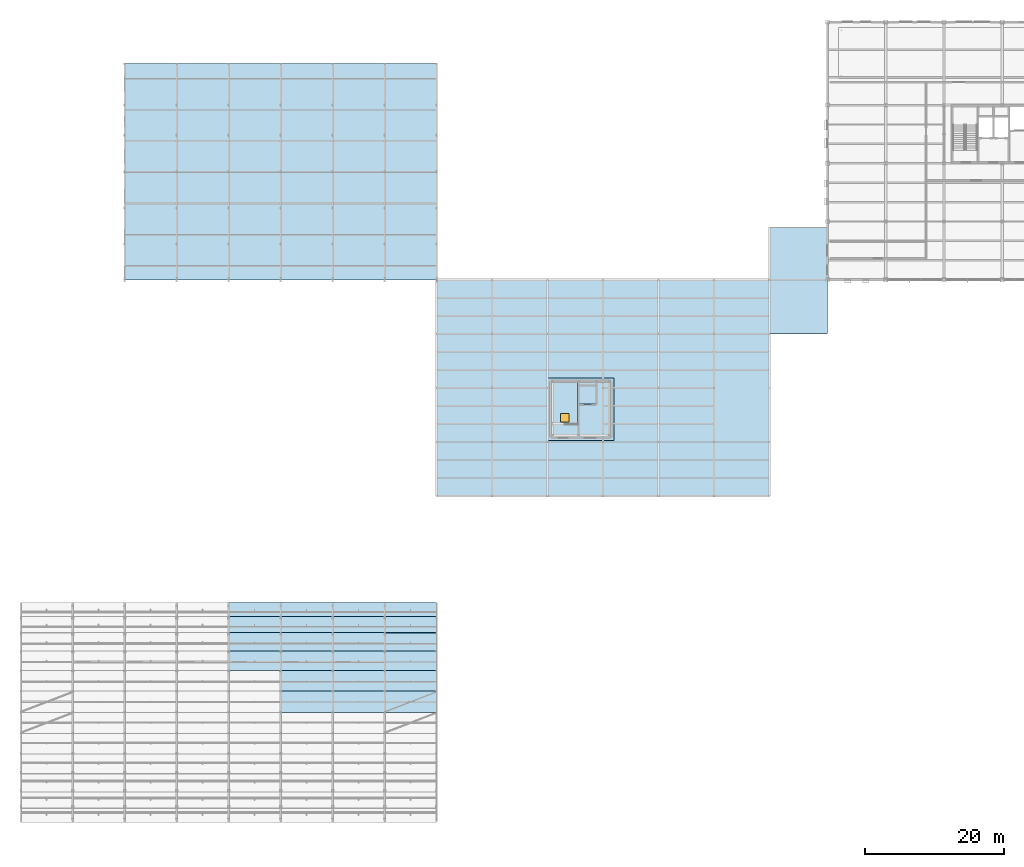
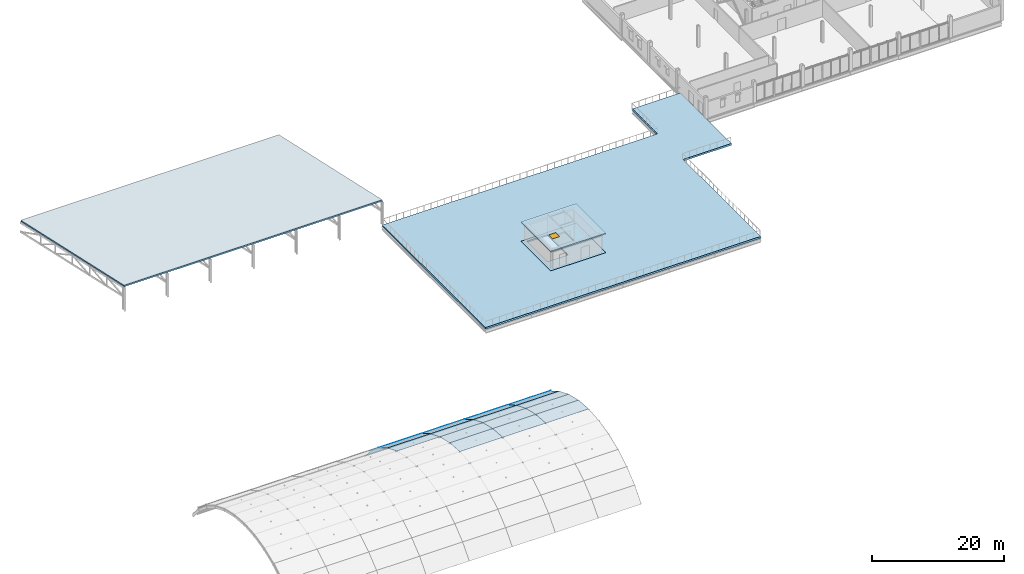
# One storey, part 43 of 77: 22 plates, 4 slabs, 1 window, 1 opening.
"""IFC4 building model written with IfcOpenShell, lengths in metres."""

from ifc_helpers import new_model, si_unit, direction, frame, origin, origin_2d, place, context, subcontext, project, spatial, polyline, rectangle, outline, extrude, material, layer, layer_set, type_object, element, fill, save


model = new_model("IFC4")

# Units and contexts
model_context = context("Model", 3, precision=1e-05, world=origin(), true_north=direction((0.0, 1.0)))
body_context = subcontext(model_context, "Body", "Model", "MODEL_VIEW")
ifc_project = project(units=[si_unit("LENGTHUNIT", "METRE"), si_unit("AREAUNIT", "SQUARE_METRE"), si_unit("VOLUMEUNIT", "CUBIC_METRE"), si_unit("PLANEANGLEUNIT", "RADIAN"), si_unit("MASSUNIT", "GRAM", prefix="KILO")], contexts=[model_context])

# Site, building, storey
site_placement = place(None, origin())
site = spatial("IfcSite", under=ifc_project, at=site_placement, CompositionType="ELEMENT")
building_placement = place(site_placement, origin())
building = spatial("IfcBuilding", under=site, at=building_placement, Name="Yukiwa Park Conservatory and Herbarium", CompositionType="ELEMENT")
storey_placement = place(building_placement, frame((0.0, 0.0, 13.199951171875)))
storey = spatial("IfcBuildingStorey", under=building, at=storey_placement, Name="L03", CompositionType="ELEMENT", Elevation=13.199951171875)

# Plates
ifc_material_1 = material(Name="Laminated Tempered Safety Glass", Category="glass")
ifc_layer_1 = layer(ifc_material_1, 0.031982421875)
ifc_layer_set_1 = layer_set([ifc_layer_1], Name="Laminated Tempered Safety Glass")
plate_type_1 = type_object("IfcPlateType", Name="PL-VAULT-GLASS-32", PredefinedType="SHEET", material=ifc_layer_set_1)
plate_1_placement = place(storey_placement, frame((30.0, 21.63525390625, 2.999755859375), z_axis=(0.0, 0.376825946755, 0.926284084853), x_axis=(1.0, 0.0, 0.0)))
element("IfcPlate", 1, at=plate_1_placement, inside=storey, type_object=plate_type_1, Name="Conservatory Barrel Vault Glazed Roof Panel 5.9", PredefinedType="SHEET", context=body_context, shape_type="SweptSolid", body=[
    extrude(outline(polyline([(0.0, 0.0), (7.5, 0.0), (7.5, 3.063209646098804), (0.0, 3.063209646098804), (0.0, 0.0)])), origin(), (0.0, 0.0, -1.0), 0.031982421875),
])
plate_2_placement = place(storey_placement, frame((30.0, 24.47265625, 1.845458984375), z_axis=(0.0, 0.514929340992, 0.857232625246), x_axis=(1.0, 0.0, 0.0)))
element("IfcPlate", 2, at=plate_2_placement, inside=storey, type_object=plate_type_1, Name="Conservatory Barrel Vault Glazed Roof Panel 5.10", PredefinedType="SHEET", context=body_context, shape_type="SweptSolid", body=[
    extrude(outline(polyline([(0.0, 0.0), (7.5, 0.0), (7.5, 3.063318503244994), (0.0, 3.063318503244994), (0.0, 0.0)])), origin(), (0.0, 0.0, -1.0), 0.031982421875),
])
plate_3_placement = place(storey_placement, frame((30.0, 27.0986328125, 0.26806640625), z_axis=(0.0, 0.640725169959, 0.767770314991), x_axis=(1.0, 0.0, 0.0)))
element("IfcPlate", 3, at=plate_3_placement, inside=storey, type_object=plate_type_1, Name="Conservatory Barrel Vault Glazed Roof Panel 5.11", PredefinedType="SHEET", context=body_context, shape_type="SweptSolid", body=[
    extrude(outline(polyline([(0.0, 0.0), (7.5, 0.0), (7.5, 3.0631643275406226), (0.0, 3.0631643275406226), (0.0, 0.0)])), origin(), (0.0, 0.0, -1.0), 0.031982421875),
])
plate_4_placement = place(storey_placement, frame((30.0, 29.450439453125, -1.694580078125), z_axis=(0.0, 0.75130141371, 0.659959230375), x_axis=(1.0, 0.0, 0.0)))
element("IfcPlate", 4, at=plate_4_placement, inside=storey, type_object=plate_type_1, Name="Conservatory Barrel Vault Glazed Roof Panel 5.12", PredefinedType="SHEET", context=body_context, shape_type="SweptSolid", body=[
    extrude(outline(polyline([(0.0, 0.0), (7.5, 0.0), (7.5, 3.0630443244962575), (0.0, 3.0630443244962575), (0.0, 0.0)])), origin(), (0.0, 0.0, -1.0), 0.031982421875),
])
plate_5_placement = place(storey_placement, frame((37.5, 15.60009765625, 3.93994140625), z_axis=(0.0, 0.077153617569, 0.997019217115), x_axis=(1.0, 0.0, 0.0)))
element("IfcPlate", 5, at=plate_5_placement, inside=storey, type_object=plate_type_1, Name="Conservatory Barrel Vault Glazed Roof Panel 6.7", PredefinedType="SHEET", context=body_context, shape_type="SweptSolid", body=[
    extrude(outline(polyline([(0.0, 0.0), (7.5, 0.0), (7.5, 3.0630854708727098), (0.0, 3.0630854708727098), (0.0, 0.0)])), origin(), (0.0, 0.0, -1.0), 0.031982421875),
])
plate_6_placement = place(storey_placement, frame((37.5, 18.654052734375, 3.70361328125), z_axis=(0.0, 0.229781150018, 0.973242324962), x_axis=(1.0, 0.0, 0.0)))
element("IfcPlate", 6, at=plate_6_placement, inside=storey, type_object=plate_type_1, Name="Conservatory Barrel Vault Glazed Roof Panel 6.8", PredefinedType="SHEET", context=body_context, shape_type="SweptSolid", body=[
    extrude(outline(polyline([(0.0, 0.0), (7.5, 0.0), (7.5, 3.0631643275406226), (0.0, 3.0631643275406226), (0.0, 0.0)])), origin(), (0.0, 0.0, -1.0), 0.031982421875),
])
plate_7_placement = place(storey_placement, frame((37.5, 21.63525390625, 2.999755859375), z_axis=(0.0, 0.376825946755, 0.926284084853), x_axis=(1.0, 0.0, 0.0)))
element("IfcPlate", 7, at=plate_7_placement, inside=storey, type_object=plate_type_1, Name="Conservatory Barrel Vault Glazed Roof Panel 6.9", PredefinedType="SHEET", context=body_context, shape_type="SweptSolid", body=[
    extrude(outline(polyline([(0.0, 0.0), (7.5, 0.0), (7.5, 3.063209646098804), (0.0, 3.063209646098804), (0.0, 0.0)])), origin(), (0.0, 0.0, -1.0), 0.031982421875),
])
plate_8_placement = place(storey_placement, frame((37.5, 24.47265625, 1.845458984375), z_axis=(0.0, 0.514929340992, 0.857232625246), x_axis=(1.0, 0.0, 0.0)))
element("IfcPlate", 8, at=plate_8_placement, inside=storey, type_object=plate_type_1, Name="Conservatory Barrel Vault Glazed Roof Panel 6.10", PredefinedType="SHEET", context=body_context, shape_type="SweptSolid", body=[
    extrude(outline(polyline([(0.0, 0.0), (7.5, 0.0), (7.5, 3.063318503244994), (0.0, 3.063318503244994), (0.0, 0.0)])), origin(), (0.0, 0.0, -1.0), 0.031982421875),
])
plate_9_placement = place(storey_placement, frame((37.5, 27.0986328125, 0.26806640625), z_axis=(0.0, 0.640725169959, 0.767770314991), x_axis=(1.0, 0.0, 0.0)))
element("IfcPlate", 9, at=plate_9_placement, inside=storey, type_object=plate_type_1, Name="Conservatory Barrel Vault Glazed Roof Panel 6.11", PredefinedType="SHEET", context=body_context, shape_type="SweptSolid", body=[
    extrude(outline(polyline([(0.0, 0.0), (7.5, 0.0), (7.5, 3.0631643275406226), (0.0, 3.0631643275406226), (0.0, 0.0)])), origin(), (0.0, 0.0, -1.0), 0.031982421875),
])
plate_10_placement = place(storey_placement, frame((37.5, 29.450439453125, -1.694580078125), z_axis=(0.0, 0.75130141371, 0.659959230375), x_axis=(1.0, 0.0, 0.0)))
element("IfcPlate", 10, at=plate_10_placement, inside=storey, type_object=plate_type_1, Name="Conservatory Barrel Vault Glazed Roof Panel 6.12", PredefinedType="SHEET", context=body_context, shape_type="SweptSolid", body=[
    extrude(outline(polyline([(0.0, 0.0), (7.5, 0.0), (7.5, 3.0630443244962575), (0.0, 3.0630443244962575), (0.0, 0.0)])), origin(), (0.0, 0.0, -1.0), 0.031982421875),
])
plate_11_placement = place(storey_placement, frame((45.0, 15.60009765625, 3.93994140625), z_axis=(0.0, 0.077153617569, 0.997019217115), x_axis=(1.0, 0.0, 0.0)))
element("IfcPlate", 11, at=plate_11_placement, inside=storey, type_object=plate_type_1, Name="Conservatory Barrel Vault Glazed Roof Panel 7.7", PredefinedType="SHEET", context=body_context, shape_type="SweptSolid", body=[
    extrude(outline(polyline([(0.0, 0.0), (7.5, 0.0), (7.5, 3.0630854708727098), (0.0, 3.0630854708727098), (0.0, 0.0)])), origin(), (0.0, 0.0, -1.0), 0.031982421875),
])
plate_12_placement = place(storey_placement, frame((45.0, 18.654052734375, 3.70361328125), z_axis=(0.0, 0.229781150018, 0.973242324962), x_axis=(1.0, 0.0, 0.0)))
element("IfcPlate", 12, at=plate_12_placement, inside=storey, type_object=plate_type_1, Name="Conservatory Barrel Vault Glazed Roof Panel 7.8", PredefinedType="SHEET", context=body_context, shape_type="SweptSolid", body=[
    extrude(outline(polyline([(0.0, 0.0), (7.5, 0.0), (7.5, 3.0631643275406226), (0.0, 3.0631643275406226), (0.0, 0.0)])), origin(), (0.0, 0.0, -1.0), 0.031982421875),
])
plate_13_placement = place(storey_placement, frame((45.0, 21.63525390625, 2.999755859375), z_axis=(0.0, 0.376825946755, 0.926284084853), x_axis=(1.0, 0.0, 0.0)))
element("IfcPlate", 13, at=plate_13_placement, inside=storey, type_object=plate_type_1, Name="Conservatory Barrel Vault Glazed Roof Panel 7.9", PredefinedType="SHEET", context=body_context, shape_type="SweptSolid", body=[
    extrude(outline(polyline([(0.0, 0.0), (7.5, 0.0), (7.5, 3.063209646098804), (0.0, 3.063209646098804), (0.0, 0.0)])), origin(), (0.0, 0.0, -1.0), 0.031982421875),
])
plate_14_placement = place(storey_placement, frame((45.0, 24.47265625, 1.845458984375), z_axis=(0.0, 0.514929340992, 0.857232625246), x_axis=(1.0, 0.0, 0.0)))
element("IfcPlate", 14, at=plate_14_placement, inside=storey, type_object=plate_type_1, Name="Conservatory Barrel Vault Glazed Roof Panel 7.10", PredefinedType="SHEET", context=body_context, shape_type="SweptSolid", body=[
    extrude(outline(polyline([(0.0, 0.0), (7.5, 0.0), (7.5, 3.063318503244994), (0.0, 3.063318503244994), (0.0, 0.0)])), origin(), (0.0, 0.0, -1.0), 0.031982421875),
])
plate_15_placement = place(storey_placement, frame((45.0, 27.0986328125, 0.26806640625), z_axis=(0.0, 0.640725169959, 0.767770314991), x_axis=(1.0, 0.0, 0.0)))
element("IfcPlate", 15, at=plate_15_placement, inside=storey, type_object=plate_type_1, Name="Conservatory Barrel Vault Glazed Roof Panel 7.11", PredefinedType="SHEET", context=body_context, shape_type="SweptSolid", body=[
    extrude(outline(polyline([(0.0, 0.0), (7.5, 0.0), (7.5, 3.0631643275406226), (0.0, 3.0631643275406226), (0.0, 0.0)])), origin(), (0.0, 0.0, -1.0), 0.031982421875),
])
plate_16_placement = place(storey_placement, frame((45.0, 29.450439453125, -1.694580078125), z_axis=(0.0, 0.75130141371, 0.659959230375), x_axis=(1.0, 0.0, 0.0)))
element("IfcPlate", 16, at=plate_16_placement, inside=storey, type_object=plate_type_1, Name="Conservatory Barrel Vault Glazed Roof Panel 7.12", PredefinedType="SHEET", context=body_context, shape_type="SweptSolid", body=[
    extrude(outline(polyline([(0.0, 0.0), (7.5, 0.0), (7.5, 3.0630443244962575), (0.0, 3.0630443244962575), (0.0, 0.0)])), origin(), (0.0, 0.0, -1.0), 0.031982421875),
])
ifc_material_2 = material(Name="Laminated Tempered Safety Glass", Category="glass")
ifc_layer_2 = layer(ifc_material_2, 0.0419921875)
ifc_layer_set_2 = layer_set([ifc_layer_2], Name="Laminated Tempered Safety Glass")
plate_type_2 = type_object("IfcPlateType", Name="PL-VAULT-GLASS-42", PredefinedType="SHEET", material=ifc_layer_set_2)
plate_17_placement = place(storey_placement, frame((52.5, 15.60009765625, 3.93994140625), z_axis=(0.0, 0.077153617569, 0.997019217115), x_axis=(1.0, 0.0, 0.0)))
element("IfcPlate", 17, at=plate_17_placement, inside=storey, type_object=plate_type_2, Name="Conservatory Barrel Vault Glazed Roof Panel 8.7", PredefinedType="SHEET", context=body_context, shape_type="SweptSolid", body=[
    extrude(outline(polyline([(0.0, 0.0), (7.5, 0.0), (7.5, 3.0630854708727098), (0.0, 3.0630854708727098), (0.0, 0.0)])), origin(), (0.0, 0.0, -1.0), 0.0419921875),
])
plate_18_placement = place(storey_placement, frame((52.5, 18.654052734375, 3.70361328125), z_axis=(0.0, 0.229781150018, 0.973242324962), x_axis=(1.0, 0.0, 0.0)))
element("IfcPlate", 18, at=plate_18_placement, inside=storey, type_object=plate_type_2, Name="Conservatory Barrel Vault Glazed Roof Panel 8.8", PredefinedType="SHEET", context=body_context, shape_type="SweptSolid", body=[
    extrude(outline(polyline([(0.0, 0.0), (7.5, 0.0), (7.5, 3.0631643275406226), (0.0, 3.0631643275406226), (0.0, 0.0)])), origin(), (0.0, 0.0, -1.0), 0.0419921875),
])
plate_19_placement = place(storey_placement, frame((52.5, 21.63525390625, 2.999755859375), z_axis=(0.0, 0.376825946755, 0.926284084853), x_axis=(1.0, 0.0, 0.0)))
element("IfcPlate", 19, at=plate_19_placement, inside=storey, type_object=plate_type_2, Name="Conservatory Barrel Vault Glazed Roof Panel 8.9", PredefinedType="SHEET", context=body_context, shape_type="SweptSolid", body=[
    extrude(outline(polyline([(0.0, 0.0), (7.5, 0.0), (7.5, 3.063209646098804), (0.0, 3.063209646098804), (0.0, 0.0)])), origin(), (0.0, 0.0, -1.0), 0.0419921875),
])
plate_20_placement = place(storey_placement, frame((52.5, 24.47265625, 1.845458984375), z_axis=(0.0, 0.514929340992, 0.857232625246), x_axis=(1.0, 0.0, 0.0)))
element("IfcPlate", 20, at=plate_20_placement, inside=storey, type_object=plate_type_2, Name="Conservatory Barrel Vault Glazed Roof Panel 8.10", PredefinedType="SHEET", context=body_context, shape_type="SweptSolid", body=[
    extrude(outline(polyline([(0.0, 0.0), (7.5, 0.0), (7.5, 3.063318503244994), (0.0, 3.063318503244994), (0.0, 0.0)])), origin(), (0.0, 0.0, -1.0), 0.0419921875),
])
plate_21_placement = place(storey_placement, frame((52.5, 27.0986328125, 0.26806640625), z_axis=(0.0, 0.640725169959, 0.767770314991), x_axis=(1.0, 0.0, 0.0)))
element("IfcPlate", 21, at=plate_21_placement, inside=storey, type_object=plate_type_2, Name="Conservatory Barrel Vault Glazed Roof Panel 8.11", PredefinedType="SHEET", context=body_context, shape_type="SweptSolid", body=[
    extrude(outline(polyline([(0.0, 0.0), (7.5, 0.0), (7.5, 3.0631643275406226), (0.0, 3.0631643275406226), (0.0, 0.0)])), origin(), (0.0, 0.0, -1.0), 0.0419921875),
])
plate_22_placement = place(storey_placement, frame((52.5, 29.450439453125, -1.694580078125), z_axis=(0.0, 0.75130141371, 0.659959230375), x_axis=(1.0, 0.0, 0.0)))
element("IfcPlate", 22, at=plate_22_placement, inside=storey, type_object=plate_type_2, Name="Conservatory Barrel Vault Glazed Roof Panel 8.12", PredefinedType="SHEET", context=body_context, shape_type="SweptSolid", body=[
    extrude(outline(polyline([(0.0, 0.0), (7.5, 0.0), (7.5, 3.0630443244962575), (0.0, 3.0630443244962575), (0.0, 0.0)])), origin(), (0.0, 0.0, -1.0), 0.0419921875),
])

# Slab
ifc_material_3 = material(Name="Concrete C40", Category="concrete")
ifc_layer_3 = layer(ifc_material_3, 0.264892578125)
ifc_layer_set_3 = layer_set([ifc_layer_3], Name="Concrete C40")
slab_type_1 = type_object("IfcSlabType", Name="SL-FLR-265", PredefinedType="FLOOR", material=ifc_layer_set_3)
slab_1_placement = place(storey_placement, frame((0.0, 0.0, -0.264892578125)))
element("IfcSlab", 23, at=slab_1_placement, inside=storey, type_object=slab_type_1, Name="L03 composite structural floor slab C3TOP", PredefinedType="FLOOR", context=body_context, shape_type="SweptSolid", body=[
    extrude(outline(polyline([(76.0, 54.800048828125), (76.0, 63.800048828125), (85.60009765625, 63.800048828125), (85.60009765625, 54.800048828125), (76.0, 54.800048828125)]), holes=[polyline([(76.800048828125, 63.35009765625), (76.800048828125, 57.14990234375), (80.35009765625, 57.14990234375), (80.35009765625, 63.35009765625), (76.800048828125, 63.35009765625)]), polyline([(82.969970703125, 62.64990234375), (80.570068359375, 62.64990234375), (80.570068359375, 60.050048828125), (82.969970703125, 60.050048828125), (82.969970703125, 62.64990234375)])]), origin(), (0.0, 0.0, 1.0), 0.264892578125),
])

# Slab, opening, window
ifc_material_4 = material(Name="Concrete C40", Category="concrete")
ifc_layer_4 = layer(ifc_material_4, 0.219970703125)
ifc_layer_set_4 = layer_set([ifc_layer_4], Name="Concrete C40")
slab_type_2 = type_object("IfcSlabType", Name="SL-ROOF-220", PredefinedType="ROOF", material=ifc_layer_set_4)
slab_2_placement = place(storey_placement, frame((0.0, 0.0, 3.380126953125)))
slab_2 = element("IfcSlab", 24, at=slab_2_placement, inside=storey, type_object=slab_type_2, Name="Visitor core C3 rooftop stair and lift enclosure roof slab", PredefinedType="ROOF", context=body_context, shape_type="SweptSolid", body=[
    extrude(outline(polyline([(76.0, 54.800048828125), (85.60009765625, 54.800048828125), (85.60009765625, 63.800048828125), (76.0, 63.800048828125), (76.0, 54.800048828125)])), origin(), (0.0, 0.0, 1.0), 0.219970703125),
])
opening_placement = place(slab_2_placement, frame((78.5, 58.10009765625, -0.010009765625)))
opening = element("IfcOpeningElement", 25, at=opening_placement, cuts=slab_2, Name="Opening SK-01", PredefinedType="OPENING", context=body_context, shape_type="SweptSolid", body=[
    extrude(rectangle(XDim=1.199951171875, YDim=1.199951171875, at=origin_2d()), origin(), (0.0, 0.0, 1.0), 0.239990234375),
])
ifc_material_5 = material(Name="Triple Low-E Insulated Glass", Category="glass")
window_type = type_object("IfcWindowType", Name="WN-SK-1200X1200", PartitioningType="SINGLE_PANEL", PredefinedType="SKYLIGHT", material=ifc_material_5)
window_placement = place(slab_2_placement, frame((78.5, 58.10009765625, 0.169921875)))
window = element("IfcWindow", 26, at=window_placement, inside=storey, type_object=window_type, Name="Visitor core C3 roof access skylight hatch", OverallHeight=1.199951171875, OverallWidth=1.199951171875, PartitioningType="SINGLE_PANEL", PredefinedType="SKYLIGHT", context=body_context, shape_type="SweptSolid", body=[
    extrude(rectangle(XDim=1.199951171875, YDim=1.199951171875, at=origin_2d()), origin(), (0.0, 0.0, 1.0), 0.050048828125),
])
fill(opening, window)

# Slabs
ifc_material_6 = material(Name="Concrete C40", Category="concrete")
ifc_layer_5 = layer(ifc_material_6, 0.239990234375)
ifc_layer_set_5 = layer_set([ifc_layer_5], Name="Concrete C40")
slab_type_3 = type_object("IfcSlabType", Name="SL-ROOF-240", PredefinedType="ROOF", material=ifc_layer_set_5)
slab_3_placement = place(storey_placement, frame((15.0, 78.0, 4.616943359375), z_axis=(0.0, 0.216443477494, 0.976295150582), x_axis=(1.0, 0.0, 0.0)))
element("IfcSlab", 27, at=slab_3_placement, inside=storey, type_object=slab_type_3, Name="Auditorium Wing sloped roof slab", PredefinedType="ROOF", context=body_context, shape_type="SweptSolid", body=[
    extrude(outline(polyline([(0.0, 0.0), (45.0, 0.0), (45.0, 31.957498870364056), (0.0, 31.957498870364056), (0.0, 0.0)])), origin(), (0.0, 0.0, -1.0), 0.239990234375),
])
ifc_material_7 = material(Name="Concrete C40", Category="concrete")
ifc_layer_6 = layer(ifc_material_7, 0.320068359375)
ifc_layer_set_6 = layer_set([ifc_layer_6], Name="Concrete C40")
slab_type_4 = type_object("IfcSlabType", Name="SL-TER-320", PredefinedType="ROOF", material=ifc_layer_set_6)
slab_4_placement = place(storey_placement, frame((0.0, 0.0, -0.320068359375)))
element("IfcSlab", 28, at=slab_4_placement, inside=storey, type_object=slab_type_4, Name="L03 Planted Roof Terrace slab", PredefinedType="ROOF", context=body_context, shape_type="SweptSolid", body=[
    extrude(outline(polyline([(60.0, 78.0), (108.0, 78.0), (108.0, 85.60009765625), (116.39990234375, 85.60009765625), (116.39990234375, 70.199951171875), (108.0, 70.199951171875), (108.0, 46.800048828125), (60.0, 46.800048828125), (60.0, 78.0)]), holes=[polyline([(76.0, 63.800048828125), (76.0, 54.800048828125), (85.60009765625, 54.800048828125), (85.60009765625, 63.800048828125), (76.0, 63.800048828125)])]), origin(), (0.0, 0.0, 1.0), 0.320068359375),
])

save(model, "model.ifc")
